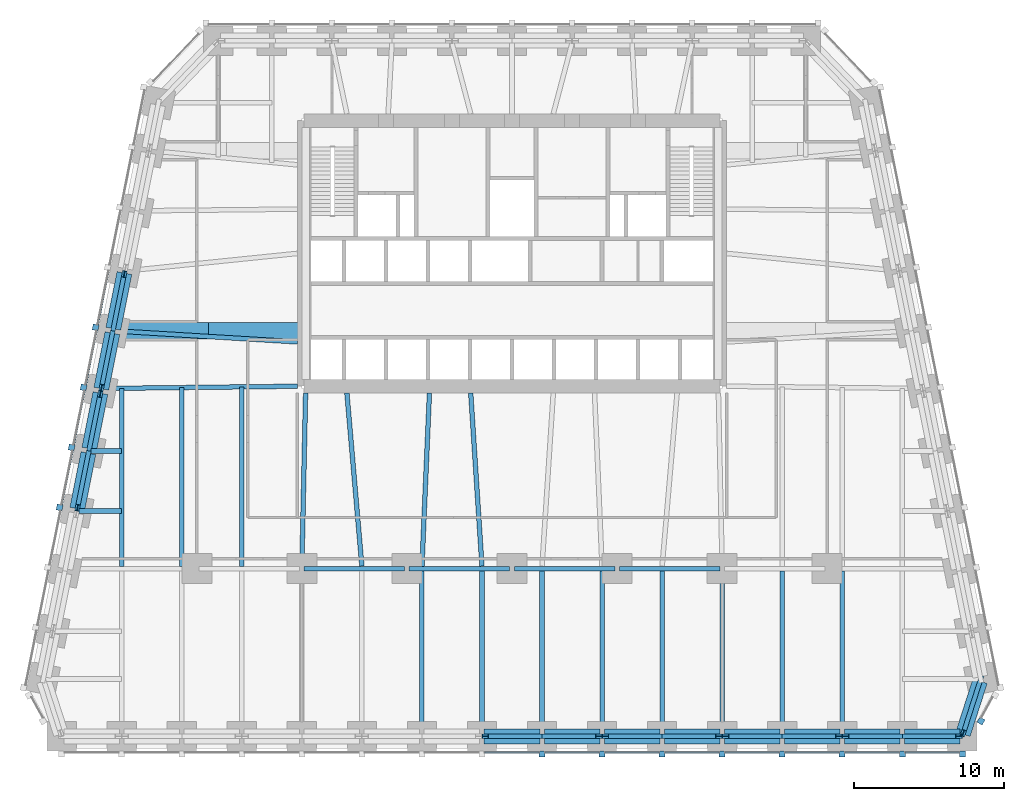
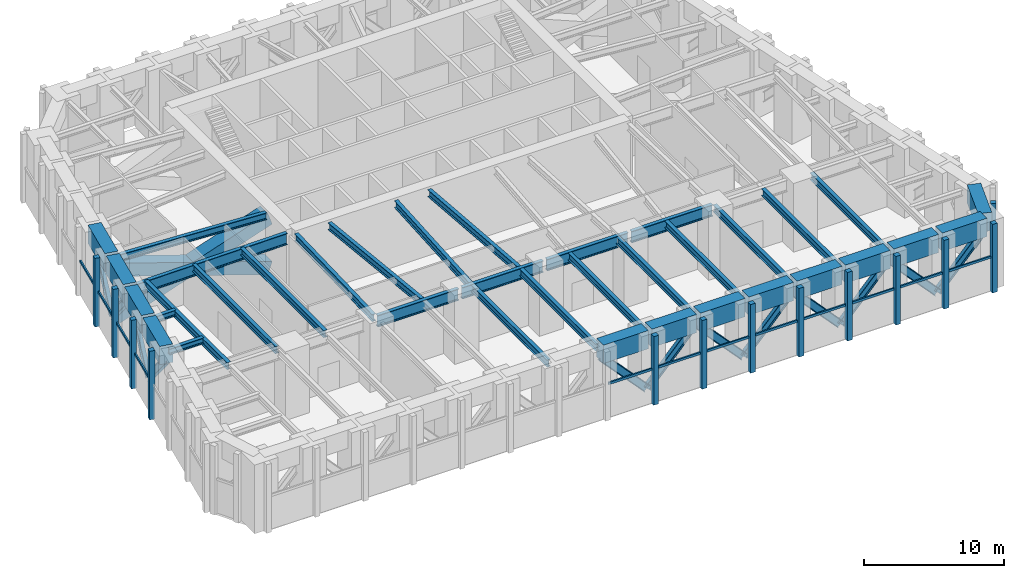
# One storey, part 2 of 9: 40 members, 36 beams, 3 elements without a shape of their own.
"""IFC4 building model written with IfcOpenShell, lengths in metres."""

import ifcopenshell
import ifcopenshell.guid

model = None  # the IFC model being written
_history = None  # IfcOwnerHistory: only IFC2X3 demands one
_inside = {}  # id of a spatial element -> (the spatial element, [elements in it])
_under = {}  # id of a project, library or spatial element -> (it, [spatial elements below it])
_declared = {}  # id of a project -> (the project, [libraries it declares])
_typed = {}  # id of a type object -> (the type object, [elements of that type])
_made_of = {}  # id of a material, layer set ... -> (it, [elements and type objects made of it])


def new_model(schema):
    """Start an empty IFC model of exactly this schema.

    Asked for "IFC4X3", IfcOpenShell would pick the latest addendum, in which some entities
    have other attributes; the version numbers below select the first issue.
    IFC2X3 requires an IfcOwnerHistory on every rooted entity: one is made here for all.
    """
    global model, _history
    if schema == "IFC4X3":
        model = ifcopenshell.file(schema_version=(4, 3, 0, 0))
    else:
        model = ifcopenshell.file(schema=schema)
    _inside.clear()
    _under.clear()
    _declared.clear()
    _typed.clear()
    _made_of.clear()
    _history = None
    if model.schema == "IFC2X3":
        org = make("IfcOrganization", Name="unknown")
        user = make(
            "IfcPersonAndOrganization",
            ThePerson=make("IfcPerson", FamilyName="unknown"),
            TheOrganization=org,
        )
        app = make(
            "IfcApplication",
            ApplicationDeveloper=org,
            Version="unknown",
            ApplicationFullName="unknown",
            ApplicationIdentifier="unknown",
        )
        _history = make(
            "IfcOwnerHistory",
            OwningUser=user,
            OwningApplication=app,
            ChangeAction="ADDED",
            CreationDate=0,
        )
    return model


def make(cls, **values):
    """One entity of the class cls with the attributes given. An attribute that is None is left unset."""
    return model.create_entity(
        cls, **{name: value for name, value in values.items() if value is not None}
    )


def rooted(cls, **values):
    """An entity with a GlobalId (a new one), such as an element, a storey or a relation."""
    return make(cls, GlobalId=ifcopenshell.guid.new(), OwnerHistory=_history, **values)


def si_unit(unit_type, name, prefix=None):
    """IfcSIUnit, for example si_unit("LENGTHUNIT", "METRE", prefix="MILLI")."""
    return make("IfcSIUnit", UnitType=unit_type, Prefix=prefix, Name=name)


def assignment(units):
    """IfcUnitAssignment: the units of a project."""
    return None if units is None else make("IfcUnitAssignment", Units=units)


def point(xyz):
    """IfcCartesianPoint."""
    return None if xyz is None else make("IfcCartesianPoint", Coordinates=xyz)


def direction(xyz):
    """IfcDirection."""
    return None if xyz is None else make("IfcDirection", DirectionRatios=xyz)


def frame(location, z_axis=None, x_axis=None):
    """IfcAxis2Placement3D, a coordinate frame: its origin and axes. An axis left out is left unset."""
    return make(
        "IfcAxis2Placement3D",
        Location=point(location),
        Axis=direction(z_axis),
        RefDirection=direction(x_axis),
    )


def frame_2d(location, x_axis=None):
    """IfcAxis2Placement2D, a coordinate frame in the plane: its origin and x axis."""
    return make(
        "IfcAxis2Placement2D", Location=point(location), RefDirection=direction(x_axis)
    )


def origin():
    """The frame at (0, 0, 0) with its axes left unset."""
    return frame((0.0, 0.0, 0.0))


def origin_2d():
    """The frame at (0, 0) in the plane with its x axis left unset."""
    return frame_2d((0.0, 0.0))


def place(relative_to, where):
    """IfcLocalPlacement: puts the frame where relative to a parent placement (None: the world)."""
    return make(
        "IfcLocalPlacement", PlacementRelTo=relative_to, RelativePlacement=where
    )


def context(
    kind, dimensions, precision=None, world=None, true_north=None, identifier=None
):
    """IfcGeometricRepresentationContext, for example the 3D "Model" context."""
    return make(
        "IfcGeometricRepresentationContext",
        ContextIdentifier=identifier,
        ContextType=kind,
        CoordinateSpaceDimension=dimensions,
        Precision=precision,
        WorldCoordinateSystem=world,
        TrueNorth=true_north,
    )


def subcontext(parent, identifier, kind, view, scale=None):
    """IfcGeometricRepresentationSubContext, for example "Body" below "Model"."""
    return make(
        "IfcGeometricRepresentationSubContext",
        ContextIdentifier=identifier,
        ContextType=kind,
        ParentContext=parent,
        TargetScale=scale,
        TargetView=view,
    )


def project(units=None, contexts=None):
    """IfcProject with its units and contexts."""
    return rooted(
        "IfcProject",
        Name="project",
        RepresentationContexts=contexts,
        UnitsInContext=assignment(units),
    )


def spatial(cls, under=None, at=None, **own):
    """A site, building, storey or space (cls), placed at a placement, below another one or the project."""
    s = rooted(cls, ObjectPlacement=at, **own)
    if under is not None:
        _under.setdefault(under.id(), (under, []))[1].append(s)
    return s


def profile(cls, at=None, kind="AREA", **sizes):
    """A parametric profile (cls). Its sizes go by their IFC names, for example OverallWidth=200.0."""
    return make(cls, ProfileType=kind, Position=at, **sizes)


def rectangle(**sizes):
    """IfcRectangleProfileDef."""
    return profile("IfcRectangleProfileDef", **sizes)


def hollow_rectangle(**sizes):
    """IfcRectangleHollowProfileDef."""
    return profile("IfcRectangleHollowProfileDef", **sizes)


def i_section(**sizes):
    """IfcIShapeProfileDef."""
    return profile("IfcIShapeProfileDef", **sizes)


def extrude(swept, where, along, depth):
    """IfcExtrudedAreaSolid: the profile swept, set in the frame where, extruded along a direction by depth."""
    return make(
        "IfcExtrudedAreaSolid",
        SweptArea=swept,
        Position=where,
        ExtrudedDirection=direction(along),
        Depth=depth,
    )


def shape(context_of_items, identifier, shape_type, items):
    """IfcShapeRepresentation: the items that make up one representation, for example the "Body"."""
    return make(
        "IfcShapeRepresentation",
        ContextOfItems=context_of_items,
        RepresentationIdentifier=identifier,
        RepresentationType=shape_type,
        Items=items,
    )


def material(Name=None, Category=None):
    """IfcMaterial."""
    return make("IfcMaterial", Name=Name, Category=Category)


def material_profile(
    of_material, cross_section, Name=None, Category=None, Priority=None
):
    """IfcMaterialProfile: a cross section and its material."""
    return make(
        "IfcMaterialProfile",
        Name=Name,
        Material=of_material,
        Profile=cross_section,
        Priority=Priority,
        Category=Category,
    )


def profile_set(profiles, Name=None, composite=None):
    """IfcMaterialProfileSet."""
    return make(
        "IfcMaterialProfileSet",
        Name=Name,
        MaterialProfiles=profiles,
        CompositeProfile=composite,
    )


def made_of(thing, what):
    """Note that an element or type object is made of a material, layer set ...; save() writes the relation."""
    if what is not None:
        _made_of.setdefault(what.id(), (what, []))[1].append(thing)
    return thing


def type_object(cls, material=None, **own):
    """A type object (cls), such as IfcWallType, which elements share."""
    return made_of(rooted(cls, **own), material)


def element(
    cls,
    number,
    at=None,
    inside=None,
    cuts=None,
    type_object=None,
    material=None,
    context=None,
    identifier="Body",
    shape_type=None,
    held_by="IfcProductDefinitionShape",
    body=None,
    shapes=None,
    **own,
):
    """One element of the class cls, such as IfcWall. Its Tag is "e" and its number.

    at: its placement. inside: the storey or other place that contains it. cuts: it is an
    opening in that element (IfcRelVoidsElement). A single representation is given by context,
    identifier, shape_type and body (its items); several are given by shapes. held_by: the class
    of the entity that holds the representations. save() writes the other relations.
    """
    e = rooted(cls, Tag="e%d" % number, ObjectPlacement=at, **own)
    if body is not None:
        shapes = [shape(context, identifier, shape_type, body)]
    if shapes is not None:
        e.Representation = make(held_by, Representations=shapes)
    if inside is not None:
        _inside.setdefault(inside.id(), (inside, []))[1].append(e)
    if cuts is not None:
        rooted(
            "IfcRelVoidsElement", RelatingBuildingElement=cuts, RelatedOpeningElement=e
        )
    if type_object is not None:
        _typed.setdefault(type_object.id(), (type_object, []))[1].append(e)
    return made_of(e, material)


def aggregate(whole, parts):
    """IfcRelAggregates: a whole, such as a stair, and the parts it consists of."""
    return rooted("IfcRelAggregates", RelatingObject=whole, RelatedObjects=parts)


def save(model, path):
    """Write the relations noted so far, then the file.

    IfcRelAggregates (storeys below a building ...), IfcRelContainedInSpatialStructure (elements
    in a storey), IfcRelDefinesByType, IfcRelAssociatesMaterial and IfcRelDeclares: one each for
    every whole, place, type object, material and project.
    """
    for whole, parts in _under.values():
        aggregate(whole, parts)
    for where, things in _inside.values():
        rooted(
            "IfcRelContainedInSpatialStructure",
            RelatedElements=things,
            RelatingStructure=where,
        )
    for kind, things in _typed.values():
        rooted("IfcRelDefinesByType", RelatedObjects=things, RelatingType=kind)
    for what, things in _made_of.values():
        rooted("IfcRelAssociatesMaterial", RelatedObjects=things, RelatingMaterial=what)
    for by, libraries in _declared.values():
        rooted("IfcRelDeclares", RelatingContext=by, RelatedDefinitions=libraries)
    model.write(path)


model = new_model("IFC4")

# Units and contexts
model_context = context("Model", 3, precision=1e-05, world=origin(), true_north=direction((0.0, 1.0)))
body_context = subcontext(model_context, "Body", "Model", "MODEL_VIEW")
ifc_project = project(units=[si_unit("LENGTHUNIT", "METRE"), si_unit("AREAUNIT", "SQUARE_METRE"), si_unit("VOLUMEUNIT", "CUBIC_METRE"), si_unit("PLANEANGLEUNIT", "RADIAN"), si_unit("MASSUNIT", "GRAM", prefix="KILO")], contexts=[model_context])

# Site, building, storey
site_placement = place(None, origin())
site = spatial("IfcSite", under=ifc_project, at=site_placement, CompositionType="ELEMENT")
building_placement = place(site_placement, origin())
building = spatial("IfcBuilding", under=site, at=building_placement, Name="Isbrekke Arena Tower", CompositionType="ELEMENT")
storey_placement = place(building_placement, frame((0.0, 0.0, 92.0)))
storey = spatial("IfcBuildingStorey", under=building, at=storey_placement, Name="L20", CompositionType="ELEMENT", Elevation=92.0)

# Beams
ifc_material_1 = material(Name="Steel S355", Category="steel")
ifc_material_profile_1 = material_profile(ifc_material_1, i_section(OverallWidth=0.304931640625, OverallDepth=0.6201171875, WebThickness=0.02099609375, FlangeThickness=0.0400390625, FilletRadius=0.027099609375, at=origin_2d()), Name="HEM 600")
ifc_profile_set_1 = profile_set([ifc_material_profile_1], Name="Steel S355")
beam_type_1 = type_object("IfcBeamType", Name="B4 HEM 600", PredefinedType="BEAM", material=ifc_profile_set_1)
for number, where, z_axis, x_axis, name in (
    (1, (-6.0, -17.02490234375, 5.489990234375), (0.0, 1.0, 0.0), (-1.0, 0.0, 0.0), "B4 beam S-S07 L20"),
    (2, (-2.0, -17.02490234375, 5.489990234375), (0.0, 1.0, 0.0), (-1.0, 0.0, 0.0), "B4 beam S-S08 L20"),
    (3, (2.0, -17.02490234375, 5.489990234375), (0.0, 1.0, 0.0), (-1.0, 0.0, 0.0), "B4 beam S-S09 L20"),
    (4, (6.0, -17.02490234375, 5.489990234375), (0.0, 1.0, 0.0), (-1.0, 0.0, 0.0), "B4 beam S-S10 L20"),
    (5, (10.0, -17.02490234375, 5.489990234375), (0.0, 1.0, 0.0), (-1.0, 0.0, 0.0), "B4 beam S-S11 L20"),
):
    element("IfcBeam", number, at=place(storey_placement, frame(where, z_axis=z_axis, x_axis=x_axis)), inside=storey, type_object=beam_type_1, Name=name, PredefinedType="BEAM", context=body_context, shape_type="SweptSolid", body=[
        extrude(i_section(OverallWidth=0.304931640625, OverallDepth=0.6201171875, WebThickness=0.02099609375, FlangeThickness=0.0400390625, FilletRadius=0.027099609375, at=origin_2d()), origin(), (0.0, 0.0, 1.0), 10.8740234375),
    ])
beam_1_placement = place(storey_placement, frame((14.0, -17.02490234375, 5.489990234375), z_axis=(0.0, 1.0, 0.0), x_axis=(-1.0, 0.0, 0.0)))
element("IfcBeam", 6, at=beam_1_placement, inside=storey, type_object=beam_type_1, Name="B4 beam S-S12 L20", PredefinedType="BEAM", context=body_context, shape_type="SweptSolid", body=[
    extrude(i_section(OverallWidth=0.304931640625, OverallDepth=0.6201171875, WebThickness=0.02099609375, FlangeThickness=0.0400390625, FilletRadius=0.027099609375, at=origin_2d()), origin(), (0.0, 0.0, 1.0), 10.875),
])
for number, where, z_axis, x_axis, name in (
    (7, (18.0, -17.02490234375, 5.489990234375), (0.0, 1.0, 0.0), (-1.0, 0.0, 0.0), "B4 beam S-S13 L20"),
    (8, (22.0, -17.02490234375, 5.489990234375), (0.0, 1.0, 0.0), (-1.0, 0.0, 0.0), "B4 beam S-S14 L20"),
):
    element("IfcBeam", number, at=place(storey_placement, frame(where, z_axis=z_axis, x_axis=x_axis)), inside=storey, type_object=beam_type_1, Name=name, PredefinedType="BEAM", context=body_context, shape_type="SweptSolid", body=[
        extrude(i_section(OverallWidth=0.304931640625, OverallDepth=0.6201171875, WebThickness=0.02099609375, FlangeThickness=0.0400390625, FilletRadius=0.027099609375, at=origin_2d()), origin(), (0.0, 0.0, 1.0), 10.8740234375),
    ])
beam_2_placement = place(storey_placement, frame((-26.0, -5.84912109375, 5.489990234375), z_axis=(0.0, 1.0, 0.0), x_axis=(-1.0, 0.0, 0.0)))
element("IfcBeam", 9, at=beam_2_placement, inside=storey, type_object=beam_type_1, Name="B4 beam C-M01 L20", PredefinedType="BEAM", context=body_context, shape_type="SweptSolid", body=[
    extrude(i_section(OverallWidth=0.304931640625, OverallDepth=0.6201171875, WebThickness=0.02099609375, FlangeThickness=0.0400390625, FilletRadius=0.027099609375, at=origin_2d()), origin(), (0.0, 0.0, 1.0), 11.864990234375),
])
beam_3_placement = place(storey_placement, frame((-22.0, -5.84912109375, 5.489990234375), z_axis=(0.0, 1.0, 0.0), x_axis=(-1.0, 0.0, 0.0)))
element("IfcBeam", 10, at=beam_3_placement, inside=storey, type_object=beam_type_1, Name="B4 beam C-M02 L20", PredefinedType="BEAM", context=body_context, shape_type="SweptSolid", body=[
    extrude(i_section(OverallWidth=0.304931640625, OverallDepth=0.6201171875, WebThickness=0.02099609375, FlangeThickness=0.0400390625, FilletRadius=0.027099609375, at=origin_2d()), origin(), (0.0, 0.0, 1.0), 11.910888671875),
])
beam_4_placement = place(storey_placement, frame((-18.0, -5.84912109375, 5.489990234375), z_axis=(0.0, 1.0, 0.0), x_axis=(-1.0, 0.0, 0.0)))
element("IfcBeam", 11, at=beam_4_placement, inside=storey, type_object=beam_type_1, Name="B4 beam C-M03 L20", PredefinedType="BEAM", context=body_context, shape_type="SweptSolid", body=[
    extrude(i_section(OverallWidth=0.304931640625, OverallDepth=0.6201171875, WebThickness=0.02099609375, FlangeThickness=0.0400390625, FilletRadius=0.027099609375, at=origin_2d()), origin(), (0.0, 0.0, 1.0), 11.956787109375),
])
beam_5_placement = place(storey_placement, frame((-14.0, -5.8466796875, 5.489990234375), z_axis=(0.021646264273, 0.999765692171, 0.0), x_axis=(-0.999765692171, 0.021646264273, 0.0)))
element("IfcBeam", 12, at=beam_5_placement, inside=storey, type_object=beam_type_1, Name="B4 beam C-M04 L20", PredefinedType="BEAM", context=body_context, shape_type="SweptSolid", body=[
    extrude(i_section(OverallWidth=0.304931640625, OverallDepth=0.6201171875, WebThickness=0.02099609375, FlangeThickness=0.0400390625, FilletRadius=0.027099609375, at=origin_2d()), origin(), (0.0, 0.0, 1.0), 11.54931640625),
])
beam_6_placement = place(storey_placement, frame((-10.001220703125, -5.8359375, 5.489990234375), z_axis=(-0.086257483273, 0.996272877569, 0.0), x_axis=(-0.996272877569, -0.086257483273, 0.0)))
element("IfcBeam", 13, at=beam_6_placement, inside=storey, type_object=beam_type_1, Name="B4 beam C-M05 L20", PredefinedType="BEAM", context=body_context, shape_type="SweptSolid", body=[
    extrude(i_section(OverallWidth=0.304931640625, OverallDepth=0.6201171875, WebThickness=0.02099609375, FlangeThickness=0.0400390625, FilletRadius=0.027099609375, at=origin_2d()), origin(), (0.0, 0.0, 1.0), 11.5791015625),
])
beam_7_placement = place(storey_placement, frame((-5.999755859375, -5.842529296875, 5.489990234375), z_axis=(0.04325656756, 0.99906399663, 0.0), x_axis=(-0.99906399663, 0.04325656756, 0.0)))
element("IfcBeam", 14, at=beam_7_placement, inside=storey, type_object=beam_type_1, Name="B4 beam C-M06 L20", PredefinedType="BEAM", context=body_context, shape_type="SweptSolid", body=[
    extrude(i_section(OverallWidth=0.304931640625, OverallDepth=0.6201171875, WebThickness=0.02099609375, FlangeThickness=0.0400390625, FilletRadius=0.027099609375, at=origin_2d()), origin(), (0.0, 0.0, 1.0), 11.55322265625),
])
beam_8_placement = place(storey_placement, frame((-2.000732421875, -5.839111328125, 5.489990234375), z_axis=(-0.064796683644, 0.997898486715, 0.0), x_axis=(-0.997898486715, -0.064796683644, 0.0)))
element("IfcBeam", 15, at=beam_8_placement, inside=storey, type_object=beam_type_1, Name="B4 beam C-M07 L20", PredefinedType="BEAM", context=body_context, shape_type="SweptSolid", body=[
    extrude(i_section(OverallWidth=0.304931640625, OverallDepth=0.6201171875, WebThickness=0.02099609375, FlangeThickness=0.0400390625, FilletRadius=0.027099609375, at=origin_2d()), origin(), (0.0, 0.0, 1.0), 11.5634765625),
])
beam_9_placement = place(storey_placement, frame((-26.431884765625, 9.837646484375, 5.489990234375), z_axis=(0.998157121592, -0.060682457223, 0.0), x_axis=(0.060682457223, 0.998157121592, 0.0)))
element("IfcBeam", 16, at=beam_9_placement, inside=storey, type_object=beam_type_1, Name="B4 beam E-W05 L20", PredefinedType="BEAM", context=body_context, shape_type="SweptSolid", body=[
    extrude(i_section(OverallWidth=0.304931640625, OverallDepth=0.6201171875, WebThickness=0.02099609375, FlangeThickness=0.0400390625, FilletRadius=0.027099609375, at=origin_2d()), origin(), (0.0, 0.0, 1.0), 12.154296875),
])
ifc_material_2 = material(Name="Steel S355", Category="steel")
ifc_material_profile_2 = material_profile(ifc_material_2, i_section(OverallWidth=0.305908203125, OverallDepth=0.52392578125, WebThickness=0.02099609375, FlangeThickness=0.0400390625, FilletRadius=0.027099609375, at=origin_2d()), Name="HEM 500")
ifc_profile_set_2 = profile_set([ifc_material_profile_2], Name="Steel S355")
beam_type_2 = type_object("IfcBeamType", Name="B5 HEM 500", PredefinedType="BEAM", material=ifc_profile_set_2)
beam_10_placement = place(storey_placement, frame((-28.041015625, 1.838134765625, 5.5380859375), z_axis=(1.0, 0.0, 0.0), x_axis=(0.0, 1.0, 0.0)))
element("IfcBeam", 17, at=beam_10_placement, inside=storey, type_object=beam_type_2, Name="B5 beam E-W07 L20", PredefinedType="BEAM", context=body_context, shape_type="SweptSolid", body=[
    extrude(i_section(OverallWidth=0.305908203125, OverallDepth=0.52392578125, WebThickness=0.02099609375, FlangeThickness=0.0400390625, FilletRadius=0.027099609375, at=origin_2d()), origin(), (0.0, 0.0, 1.0), 2.041015625),
])
beam_11_placement = place(storey_placement, frame((-28.841064453125, -2.161865234375, 5.5380859375), z_axis=(1.0, 0.0, 0.0), x_axis=(0.0, 1.0, 0.0)))
element("IfcBeam", 18, at=beam_11_placement, inside=storey, type_object=beam_type_2, Name="B5 beam E-W08 L20", PredefinedType="BEAM", context=body_context, shape_type="SweptSolid", body=[
    extrude(i_section(OverallWidth=0.305908203125, OverallDepth=0.52392578125, WebThickness=0.02099609375, FlangeThickness=0.0400390625, FilletRadius=0.027099609375, at=origin_2d()), origin(), (0.0, 0.0, 1.0), 2.841064453125),
])

# Members
ifc_material_3 = material(Name="Steel S355", Category="steel")
ifc_material_profile_3 = material_profile(ifc_material_3, i_section(OverallWidth=0.304931640625, OverallDepth=0.6201171875, WebThickness=0.02099609375, FlangeThickness=0.0400390625, FilletRadius=0.027099609375, at=origin_2d()), Name="HEM 600")
ifc_profile_set_3 = profile_set([ifc_material_profile_3], Name="Steel S355")
member_type_1 = type_object("IfcMemberType", Name="BT1 HEM 600", PredefinedType="BRACE", material=ifc_profile_set_3)
for number, where, z_axis, x_axis, name in (
    (19, (-1.781982421875, -17.175048828125, 4.66552734375), (0.681122032107, 0.0, -0.732169910183), (0.0, 1.0, 0.0), "BT1 belt truss diagonal S08 L20"),
    (20, (2.0, -17.175048828125, 0.60009765625), (0.681122032107, 0.0, 0.732169910183), (0.0, 1.0, 0.0), "BT1 belt truss diagonal S09 L20"),
    (21, (6.218017578125, -17.175048828125, 4.66552734375), (0.681122032107, 0.0, -0.732169910183), (0.0, 1.0, 0.0), "BT1 belt truss diagonal S10 L20"),
    (22, (10.0, -17.175048828125, 0.60009765625), (0.681122032107, 0.0, 0.732169910183), (0.0, 1.0, 0.0), "BT1 belt truss diagonal S11 L20"),
    (23, (14.218017578125, -17.175048828125, 4.66552734375), (0.681122032107, 0.0, -0.732169910183), (0.0, 1.0, 0.0), "BT1 belt truss diagonal S12 L20"),
    (24, (18.0, -17.175048828125, 0.60009765625), (0.681122032107, 0.0, 0.732169910183), (0.0, 1.0, 0.0), "BT1 belt truss diagonal S13 L20"),
    (25, (22.218017578125, -17.175048828125, 4.66552734375), (0.681122032107, 0.0, -0.732169910183), (0.0, 1.0, 0.0), "BT1 belt truss diagonal S14 L20"),
    (26, (26.0, -17.175048828125, 0.60009765625), (0.681122032107, 0.0, 0.732169910183), (0.0, 1.0, 0.0), "BT1 belt truss diagonal S15 L20"),
):
    element("IfcMember", number, at=place(storey_placement, frame(where, z_axis=z_axis, x_axis=x_axis)), inside=storey, type_object=member_type_1, Name=name, PredefinedType="BRACE", context=body_context, shape_type="SweptSolid", body=[
        extrude(i_section(OverallWidth=0.304931640625, OverallDepth=0.6201171875, WebThickness=0.02099609375, FlangeThickness=0.0400390625, FilletRadius=0.027099609375, at=origin_2d()), origin(), (0.0, 0.0, 1.0), 5.552490234375),
    ])
member_1_placement = place(storey_placement, frame((30.06689453125, -16.96728515625, 4.666259765625), z_axis=(0.208935562442, 0.649714556176, -0.730901447694), x_axis=(-0.951986403059, 0.306140308339, 0.0)))
element("IfcMember", 27, at=member_1_placement, inside=storey, type_object=member_type_1, Name="BT1 belt truss diagonal S16 L20", PredefinedType="BRACE", context=body_context, shape_type="SweptSolid", body=[
    extrude(i_section(OverallWidth=0.304931640625, OverallDepth=0.6201171875, WebThickness=0.02099609375, FlangeThickness=0.0400390625, FilletRadius=0.027099609375, at=origin_2d()), origin(), (0.0, 0.0, 1.0), 5.563232421875),
])
for number, where, z_axis, x_axis, name in (
    (28, (-25.833984375, 13.62353515625, 4.66943359375), (-0.134973713861, -0.674868569303, -0.725489152734), (0.980580675691, -0.196116135138, 0.0), "BT1 belt truss diagonal W04 L20"),
    (29, (-26.591064453125, 9.838134765625, 0.60009765625), (-0.134973713861, -0.674868569303, 0.725489152734), (0.980580675691, -0.196116135138, 0.0), "BT1 belt truss diagonal W05 L20"),
    (30, (-27.433837890625, 5.62353515625, 4.66943359375), (-0.134973713861, -0.674868569303, -0.725489152734), (0.980580675691, -0.196116135138, 0.0), "BT1 belt truss diagonal W06 L20"),
    (31, (-28.19091796875, 1.838134765625, 0.60009765625), (-0.134973713861, -0.674868569303, 0.725489152734), (0.980580675691, -0.196116135138, 0.0), "BT1 belt truss diagonal W07 L20"),
):
    element("IfcMember", number, at=place(storey_placement, frame(where, z_axis=z_axis, x_axis=x_axis)), inside=storey, type_object=member_type_1, Name=name, PredefinedType="BRACE", context=body_context, shape_type="SweptSolid", body=[
        extrude(i_section(OverallWidth=0.304931640625, OverallDepth=0.6201171875, WebThickness=0.02099609375, FlangeThickness=0.0400390625, FilletRadius=0.027099609375, at=origin_2d()), origin(), (0.0, 0.0, 1.0), 5.609130859375),
    ])

# Curtain wall, members
ifc_material_4 = material(Name="Glazed aluminium curtain wall", Category="aluminium")
curtain_wall_type = type_object("IfcCurtainWallType", Name="CWR PLANT LOUVRE WALL", PredefinedType="USERDEFINED", material=ifc_material_4)
curtain_wall_1_placement = place(storey_placement, origin())
curtain_wall_1 = element("IfcCurtainWall", 32, at=curtain_wall_1_placement, inside=storey, type_object=curtain_wall_type, Name="CWR curtain wall L20-S", ObjectType="PLANT LOUVRE WALL", PredefinedType="USERDEFINED")
ifc_material_5 = material(Name="Aluminium mullion, pale brick slip cladding", Category="masonry")
ifc_material_profile_4 = material_profile(ifc_material_5, rectangle(XDim=0.39990234375, YDim=0.39990234375, at=origin_2d()), Name="PIER 400X400")
ifc_profile_set_4 = profile_set([ifc_material_profile_4], Name="Aluminium mullion, pale brick slip cladding")
member_type_2 = type_object("IfcMemberType", Name="CWR-M PIER MULLION 400 x 400", PredefinedType="MULLION", material=ifc_profile_set_4)
member_2_placement = place(storey_placement, frame((2.0, -18.35009765625, 0.0), z_axis=(0.0, 0.0, 1.0), x_axis=(1.0, 0.0, 0.0)))
member_2 = element("IfcMember", 33, at=member_2_placement, type_object=member_type_2, Name="CWR-M mullion 9", PredefinedType="MULLION", context=body_context, shape_type="SweptSolid", body=[
    extrude(rectangle(XDim=0.39990234375, YDim=0.39990234375, at=origin_2d()), origin(), (0.0, 0.0, 1.0), 6.0),
])
member_3_placement = place(storey_placement, frame((6.0, -18.35009765625, 0.0), z_axis=(0.0, 0.0, 1.0), x_axis=(1.0, 0.0, 0.0)))
member_3 = element("IfcMember", 34, at=member_3_placement, type_object=member_type_2, Name="CWR-M mullion 10", PredefinedType="MULLION", context=body_context, shape_type="SweptSolid", body=[
    extrude(rectangle(XDim=0.39990234375, YDim=0.39990234375, at=origin_2d()), origin(), (0.0, 0.0, 1.0), 6.0),
])
member_4_placement = place(storey_placement, frame((10.0, -18.35009765625, 0.0), z_axis=(0.0, 0.0, 1.0), x_axis=(1.0, 0.0, 0.0)))
member_4 = element("IfcMember", 35, at=member_4_placement, type_object=member_type_2, Name="CWR-M mullion 11", PredefinedType="MULLION", context=body_context, shape_type="SweptSolid", body=[
    extrude(rectangle(XDim=0.39990234375, YDim=0.39990234375, at=origin_2d()), origin(), (0.0, 0.0, 1.0), 6.0),
])
member_5_placement = place(storey_placement, frame((14.0, -18.35009765625, 0.0), z_axis=(0.0, 0.0, 1.0), x_axis=(1.0, 0.0, 0.0)))
member_5 = element("IfcMember", 36, at=member_5_placement, type_object=member_type_2, Name="CWR-M mullion 12", PredefinedType="MULLION", context=body_context, shape_type="SweptSolid", body=[
    extrude(rectangle(XDim=0.39990234375, YDim=0.39990234375, at=origin_2d()), origin(), (0.0, 0.0, 1.0), 6.0),
])
member_6_placement = place(storey_placement, frame((18.0, -18.35009765625, 0.0), z_axis=(0.0, 0.0, 1.0), x_axis=(1.0, 0.0, 0.0)))
member_6 = element("IfcMember", 37, at=member_6_placement, type_object=member_type_2, Name="CWR-M mullion 13", PredefinedType="MULLION", context=body_context, shape_type="SweptSolid", body=[
    extrude(rectangle(XDim=0.39990234375, YDim=0.39990234375, at=origin_2d()), origin(), (0.0, 0.0, 1.0), 6.0),
])
member_7_placement = place(storey_placement, frame((22.0, -18.35009765625, 0.0), z_axis=(0.0, 0.0, 1.0), x_axis=(1.0, 0.0, 0.0)))
member_7 = element("IfcMember", 38, at=member_7_placement, type_object=member_type_2, Name="CWR-M mullion 14", PredefinedType="MULLION", context=body_context, shape_type="SweptSolid", body=[
    extrude(rectangle(XDim=0.39990234375, YDim=0.39990234375, at=origin_2d()), origin(), (0.0, 0.0, 1.0), 6.0),
])
member_8_placement = place(storey_placement, frame((26.0, -18.35009765625, 0.0), z_axis=(0.0, 0.0, 1.0), x_axis=(1.0, 0.0, 0.0)))
member_8 = element("IfcMember", 39, at=member_8_placement, type_object=member_type_2, Name="CWR-M mullion 15", PredefinedType="MULLION", context=body_context, shape_type="SweptSolid", body=[
    extrude(rectangle(XDim=0.39990234375, YDim=0.39990234375, at=origin_2d()), origin(), (0.0, 0.0, 1.0), 6.0),
])
member_9_placement = place(storey_placement, frame((30.0, -18.35009765625, 0.0), z_axis=(0.0, 0.0, 1.0), x_axis=(1.0, 0.0, 0.0)))
member_9 = element("IfcMember", 40, at=member_9_placement, type_object=member_type_2, Name="CWR-M mullion 16", PredefinedType="MULLION", context=body_context, shape_type="SweptSolid", body=[
    extrude(rectangle(XDim=0.39990234375, YDim=0.39990234375, at=origin_2d()), origin(), (0.0, 0.0, 1.0), 6.0),
])

# Curtain wall, member
curtain_wall_2_placement = place(storey_placement, origin())
curtain_wall_2 = element("IfcCurtainWall", 41, at=curtain_wall_2_placement, inside=storey, type_object=curtain_wall_type, Name="CWR curtain wall L20-SE", ObjectType="PLANT LOUVRE WALL", PredefinedType="USERDEFINED")
member_10_placement = place(storey_placement, frame((31.244384765625, -16.152587890625, 0.0), z_axis=(0.0, 0.0, 1.0), x_axis=(0.481918749773, 0.876215908676, 0.0)))
member_10 = element("IfcMember", 42, at=member_10_placement, type_object=member_type_2, Name="CWR-M mullion 1", PredefinedType="MULLION", context=body_context, shape_type="SweptSolid", body=[
    extrude(rectangle(XDim=0.39990234375, YDim=0.39990234375, at=origin_2d()), origin(), (0.0, 0.0, 1.0), 6.0),
])
aggregate(curtain_wall_2, [member_10])

# Curtain wall, members
curtain_wall_3_placement = place(storey_placement, origin())
curtain_wall_3 = element("IfcCurtainWall", 43, at=curtain_wall_3_placement, inside=storey, type_object=curtain_wall_type, Name="CWR curtain wall L20-W", ObjectType="PLANT LOUVRE WALL", PredefinedType="USERDEFINED")
member_11_placement = place(storey_placement, frame((-27.7431640625, 10.068603515625, 0.0), z_axis=(0.0, 0.0, 1.0), x_axis=(-0.196116135138, -0.980580675691, 0.0)))
member_11 = element("IfcMember", 44, at=member_11_placement, type_object=member_type_2, Name="CWR-M mullion 5", PredefinedType="MULLION", context=body_context, shape_type="SweptSolid", body=[
    extrude(rectangle(XDim=0.39990234375, YDim=0.39990234375, at=origin_2d()), origin(), (0.0, 0.0, 1.0), 6.0),
])
member_12_placement = place(storey_placement, frame((-28.543212890625, 6.068603515625, 0.0), z_axis=(0.0, 0.0, 1.0), x_axis=(-0.196116135138, -0.980580675691, 0.0)))
member_12 = element("IfcMember", 45, at=member_12_placement, type_object=member_type_2, Name="CWR-M mullion 6", PredefinedType="MULLION", context=body_context, shape_type="SweptSolid", body=[
    extrude(rectangle(XDim=0.39990234375, YDim=0.39990234375, at=origin_2d()), origin(), (0.0, 0.0, 1.0), 6.0),
])
member_13_placement = place(storey_placement, frame((-29.34326171875, 2.068603515625, 0.0), z_axis=(0.0, 0.0, 1.0), x_axis=(-0.196116135138, -0.980580675691, 0.0)))
member_13 = element("IfcMember", 46, at=member_13_placement, type_object=member_type_2, Name="CWR-M mullion 7", PredefinedType="MULLION", context=body_context, shape_type="SweptSolid", body=[
    extrude(rectangle(XDim=0.39990234375, YDim=0.39990234375, at=origin_2d()), origin(), (0.0, 0.0, 1.0), 6.0),
])
member_14_placement = place(storey_placement, frame((-30.143310546875, -1.931396484375, 0.0), z_axis=(0.0, 0.0, 1.0), x_axis=(-0.196116135138, -0.980580675691, 0.0)))
member_14 = element("IfcMember", 47, at=member_14_placement, type_object=member_type_2, Name="CWR-M mullion 8", PredefinedType="MULLION", context=body_context, shape_type="SweptSolid", body=[
    extrude(rectangle(XDim=0.39990234375, YDim=0.39990234375, at=origin_2d()), origin(), (0.0, 0.0, 1.0), 6.0),
])

# Member
ifc_material_6 = material(Name="Aluminium transom", Category="aluminium")
ifc_material_profile_5 = material_profile(ifc_material_6, rectangle(XDim=0.1201171875, YDim=0.199951171875, at=origin_2d()), Name="TRANSOM 120X200")
ifc_profile_set_5 = profile_set([ifc_material_profile_5], Name="Aluminium transom")
member_type_3 = type_object("IfcMemberType", Name="CWR-T TRANSOM 120 x 200", PredefinedType="USERDEFINED", material=ifc_profile_set_5)
member_15_placement = place(storey_placement, frame((-1.800048828125, -18.25, 3.0), z_axis=(1.0, 0.0, 0.0), x_axis=(0.0, 1.0, 0.0)))
member_15 = element("IfcMember", 48, at=member_15_placement, type_object=member_type_3, Name="CWR-T transom 8", ObjectType="TRANSOM", PredefinedType="USERDEFINED", context=body_context, shape_type="SweptSolid", body=[
    extrude(rectangle(XDim=0.1201171875, YDim=0.199951171875, at=origin_2d()), origin(), (0.0, 0.0, 1.0), 3.60009765625),
])

member_16_placement = place(storey_placement, frame((2.199951171875, -18.25, 3.0), z_axis=(1.0, 0.0, 0.0), x_axis=(0.0, 1.0, 0.0)))
member_16 = element("IfcMember", 49, at=member_16_placement, type_object=member_type_3, Name="CWR-T transom 9", ObjectType="TRANSOM", PredefinedType="USERDEFINED", context=body_context, shape_type="SweptSolid", body=[
    extrude(rectangle(XDim=0.1201171875, YDim=0.199951171875, at=origin_2d()), origin(), (0.0, 0.0, 1.0), 3.60009765625),
])

member_17_placement = place(storey_placement, frame((6.199951171875, -18.25, 3.0), z_axis=(1.0, 0.0, 0.0), x_axis=(0.0, 1.0, 0.0)))
member_17 = element("IfcMember", 50, at=member_17_placement, type_object=member_type_3, Name="CWR-T transom 10", ObjectType="TRANSOM", PredefinedType="USERDEFINED", context=body_context, shape_type="SweptSolid", body=[
    extrude(rectangle(XDim=0.1201171875, YDim=0.199951171875, at=origin_2d()), origin(), (0.0, 0.0, 1.0), 3.60009765625),
])

member_18_placement = place(storey_placement, frame((10.199951171875, -18.25, 3.0), z_axis=(1.0, 0.0, 0.0), x_axis=(0.0, 1.0, 0.0)))
member_18 = element("IfcMember", 51, at=member_18_placement, type_object=member_type_3, Name="CWR-T transom 11", ObjectType="TRANSOM", PredefinedType="USERDEFINED", context=body_context, shape_type="SweptSolid", body=[
    extrude(rectangle(XDim=0.1201171875, YDim=0.199951171875, at=origin_2d()), origin(), (0.0, 0.0, 1.0), 3.60009765625),
])

member_19_placement = place(storey_placement, frame((14.199951171875, -18.25, 3.0), z_axis=(1.0, 0.0, 0.0), x_axis=(0.0, 1.0, 0.0)))
member_19 = element("IfcMember", 52, at=member_19_placement, type_object=member_type_3, Name="CWR-T transom 12", ObjectType="TRANSOM", PredefinedType="USERDEFINED", context=body_context, shape_type="SweptSolid", body=[
    extrude(rectangle(XDim=0.1201171875, YDim=0.199951171875, at=origin_2d()), origin(), (0.0, 0.0, 1.0), 3.60009765625),
])

member_20_placement = place(storey_placement, frame((18.199951171875, -18.25, 3.0), z_axis=(1.0, 0.0, 0.0), x_axis=(0.0, 1.0, 0.0)))
member_20 = element("IfcMember", 53, at=member_20_placement, type_object=member_type_3, Name="CWR-T transom 13", ObjectType="TRANSOM", PredefinedType="USERDEFINED", context=body_context, shape_type="SweptSolid", body=[
    extrude(rectangle(XDim=0.1201171875, YDim=0.199951171875, at=origin_2d()), origin(), (0.0, 0.0, 1.0), 3.60009765625),
])

member_21_placement = place(storey_placement, frame((22.199951171875, -18.25, 3.0), z_axis=(1.0, 0.0, 0.0), x_axis=(0.0, 1.0, 0.0)))
member_21 = element("IfcMember", 54, at=member_21_placement, type_object=member_type_3, Name="CWR-T transom 14", ObjectType="TRANSOM", PredefinedType="USERDEFINED", context=body_context, shape_type="SweptSolid", body=[
    extrude(rectangle(XDim=0.1201171875, YDim=0.199951171875, at=origin_2d()), origin(), (0.0, 0.0, 1.0), 3.60009765625),
])

member_22_placement = place(storey_placement, frame((26.199951171875, -18.25, 3.0), z_axis=(1.0, 0.0, 0.0), x_axis=(0.0, 1.0, 0.0)))
member_22 = element("IfcMember", 55, at=member_22_placement, type_object=member_type_3, Name="CWR-T transom 15", ObjectType="TRANSOM", PredefinedType="USERDEFINED", context=body_context, shape_type="SweptSolid", body=[
    extrude(rectangle(XDim=0.1201171875, YDim=0.199951171875, at=origin_2d()), origin(), (0.0, 0.0, 1.0), 3.60009765625),
])

aggregate(curtain_wall_1, [member_2, member_3, member_4, member_5, member_6, member_7, member_8, member_9, member_15, member_16, member_17, member_18, member_19, member_20, member_21, member_22])

member_23_placement = place(storey_placement, frame((-26.88427734375, 13.85302734375, 3.0), z_axis=(-0.196141655741, -0.980575571225, 0.0), x_axis=(0.980575571225, -0.196141655741, 0.0)))
member_23 = element("IfcMember", 56, at=member_23_placement, type_object=member_type_3, Name="CWR-T transom 4", ObjectType="TRANSOM", PredefinedType="USERDEFINED", context=body_context, shape_type="SweptSolid", body=[
    extrude(rectangle(XDim=0.1201171875, YDim=0.199951171875, at=origin_2d()), origin(), (0.0, 0.0, 1.0), 3.679443359375),
])

member_24_placement = place(storey_placement, frame((-27.684326171875, 9.85302734375, 3.0), z_axis=(-0.196141655741, -0.980575571225, 0.0), x_axis=(0.980575571225, -0.196141655741, 0.0)))
member_24 = element("IfcMember", 57, at=member_24_placement, type_object=member_type_3, Name="CWR-T transom 5", ObjectType="TRANSOM", PredefinedType="USERDEFINED", context=body_context, shape_type="SweptSolid", body=[
    extrude(rectangle(XDim=0.1201171875, YDim=0.199951171875, at=origin_2d()), origin(), (0.0, 0.0, 1.0), 3.679443359375),
])

member_25_placement = place(storey_placement, frame((-28.484375, 5.85302734375, 3.0), z_axis=(-0.196077853487, -0.980588331244, 0.0), x_axis=(0.980588331244, -0.196077853487, 0.0)))
member_25 = element("IfcMember", 58, at=member_25_placement, type_object=member_type_3, Name="CWR-T transom 6", ObjectType="TRANSOM", PredefinedType="USERDEFINED", context=body_context, shape_type="SweptSolid", body=[
    extrude(rectangle(XDim=0.1201171875, YDim=0.199951171875, at=origin_2d()), origin(), (0.0, 0.0, 1.0), 3.679443359375),
])

member_26_placement = place(storey_placement, frame((-29.284423828125, 1.85302734375, 3.0), z_axis=(-0.196077853487, -0.980588331244, 0.0), x_axis=(0.980588331244, -0.196077853487, 0.0)))
member_26 = element("IfcMember", 59, at=member_26_placement, type_object=member_type_3, Name="CWR-T transom 7", ObjectType="TRANSOM", PredefinedType="USERDEFINED", context=body_context, shape_type="SweptSolid", body=[
    extrude(rectangle(XDim=0.1201171875, YDim=0.199951171875, at=origin_2d()), origin(), (0.0, 0.0, 1.0), 3.679443359375),
])

aggregate(curtain_wall_3, [member_11, member_12, member_13, member_14, member_23, member_24, member_25, member_26])

# Beams
ifc_material_7 = material(Name="Steel S355", Category="steel")
ifc_material_profile_6 = material_profile(ifc_material_7, i_section(OverallWidth=0.302001953125, OverallDepth=1.008056640625, WebThickness=0.02099609375, FlangeThickness=0.0400390625, FilletRadius=0.030029296875, at=origin_2d()), Name="HEM 1000")
ifc_profile_set_6 = profile_set([ifc_material_profile_6], Name="Steel S355")
beam_type_3 = type_object("IfcBeamType", Name="G1 HEM 1000", PredefinedType="BEAM", material=ifc_profile_set_6)
for number, where, z_axis, x_axis, name in (
    (60, (-13.85009765625, -6.0, 5.2958984375), (1.0, 0.0, 0.0), (0.0, 1.0, 0.0), "G1 beam G1-03 L20"),
    (61, (-6.85009765625, -6.0, 5.2958984375), (1.0, 0.0, 0.0), (0.0, 1.0, 0.0), "G1 beam G1-04 L20"),
    (62, (0.14990234375, -6.0, 5.2958984375), (1.0, 0.0, 0.0), (0.0, 1.0, 0.0), "G1 beam G1-05 L20"),
    (63, (7.14990234375, -6.0, 5.2958984375), (1.0, 0.0, 0.0), (0.0, 1.0, 0.0), "G1 beam G1-06 L20"),
):
    element("IfcBeam", number, at=place(storey_placement, frame(where, z_axis=z_axis, x_axis=x_axis)), inside=storey, type_object=beam_type_3, Name=name, PredefinedType="BEAM", context=body_context, shape_type="SweptSolid", body=[
        extrude(i_section(OverallWidth=0.302001953125, OverallDepth=1.008056640625, WebThickness=0.02099609375, FlangeThickness=0.0400390625, FilletRadius=0.030029296875, at=origin_2d()), origin(), (0.0, 0.0, 1.0), 6.7001953125),
    ])
ifc_material_8 = material(Name="Steel S355", Category="steel")
ifc_material_profile_7 = material_profile(ifc_material_8, i_section(OverallWidth=0.302001953125, OverallDepth=1.008056640625, WebThickness=0.02099609375, FlangeThickness=0.0400390625, FilletRadius=0.030029296875, at=origin_2d()), Name="HEM 1000")
ifc_profile_set_7 = profile_set([ifc_material_profile_7], Name="Steel S355")
beam_type_4 = type_object("IfcBeamType", Name="G2 HEM 1000", PredefinedType="BEAM", material=ifc_profile_set_7)
beam_12_placement = place(storey_placement, frame((-14.300048828125, 6.14990234375, 5.2958984375), z_axis=(-0.999934429634, -0.011451481699, 0.0), x_axis=(0.011451481699, -0.999934429634, 0.0)))
element("IfcBeam", 64, at=beam_12_placement, inside=storey, type_object=beam_type_4, Name="G2 beam G2-W L20", PredefinedType="BEAM", context=body_context, shape_type="SweptSolid", body=[
    extrude(i_section(OverallWidth=0.302001953125, OverallDepth=1.008056640625, WebThickness=0.02099609375, FlangeThickness=0.0400390625, FilletRadius=0.030029296875, at=origin_2d()), origin(), (0.0, 0.0, 1.0), 13.09033203125),
])

# Members
ifc_material_9 = material(Name="Steel S460", Category="steel")
ifc_material_profile_8 = material_profile(ifc_material_9, hollow_rectangle(XDim=1.10009765625, YDim=1.10009765625, WallThickness=0.050048828125, at=origin_2d()), Name="BOX 1100x1100x50")
ifc_profile_set_8 = profile_set([ifc_material_profile_8], Name="Steel S460")
member_type_4 = type_object("IfcMemberType", Name="OT1 BOX 1100x1100x50", PredefinedType="BRACE", material=ifc_profile_set_8)
for number, where, z_axis, x_axis, name in (
    (65, (-13.85009765625, 9.838134765625, 0.60009765625), (-0.947498398671, 0.0, 0.319760511189), (0.0, -1.0, 0.0), "OT1 outrigger W L20 1"),
    (66, (-13.85009765625, 9.838134765625, 4.89990234375), (-0.947498398671, 0.0, -0.319760511189), (0.0, -1.0, 0.0), "OT1 outrigger W L20 2"),
):
    element("IfcMember", number, at=place(storey_placement, frame(where, z_axis=z_axis, x_axis=x_axis)), inside=storey, type_object=member_type_4, Name=name, PredefinedType="BRACE", context=body_context, shape_type="SweptSolid", body=[
        extrude(hollow_rectangle(XDim=1.10009765625, YDim=1.10009765625, WallThickness=0.050048828125, at=origin_2d()), origin(), (0.0, 0.0, 1.0), 13.447021484375),
    ])

# Beams
ifc_material_10 = material(Name="Concrete B90 (C90/105)", Category="concrete")
ifc_material_profile_9 = material_profile(ifc_material_10, rectangle(XDim=1.0, YDim=1.60009765625, at=origin_2d()), Name="RC 1000x1600")
ifc_profile_set_9 = profile_set([ifc_material_profile_9], Name="Concrete B90 (C90/105)")
beam_type_5 = type_object("IfcBeamType", Name="SB1 RC 1000 x 1600", PredefinedType="SPANDREL", material=ifc_profile_set_9)
for number, where, z_axis, x_axis, name in (
    (67, (-1.85009765625, -17.175048828125, 5.199951171875), (1.0, 0.0, 0.0), (0.0, 1.0, 0.0), "SB1 spandrel S08-S09 L20"),
    (68, (2.14990234375, -17.175048828125, 5.199951171875), (1.0, 0.0, 0.0), (0.0, 1.0, 0.0), "SB1 spandrel S09-S10 L20"),
    (69, (6.14990234375, -17.175048828125, 5.199951171875), (1.0, 0.0, 0.0), (0.0, 1.0, 0.0), "SB1 spandrel S10-S11 L20"),
    (70, (10.14990234375, -17.175048828125, 5.199951171875), (1.0, 0.0, 0.0), (0.0, 1.0, 0.0), "SB1 spandrel S11-S12 L20"),
    (71, (14.14990234375, -17.175048828125, 5.199951171875), (1.0, 0.0, 0.0), (0.0, 1.0, 0.0), "SB1 spandrel S12-S13 L20"),
    (72, (18.14990234375, -17.175048828125, 5.199951171875), (1.0, 0.0, 0.0), (0.0, 1.0, 0.0), "SB1 spandrel S13-S14 L20"),
    (73, (22.14990234375, -17.175048828125, 5.199951171875), (1.0, 0.0, 0.0), (0.0, 1.0, 0.0), "SB1 spandrel S14-S15 L20"),
    (74, (26.14990234375, -17.175048828125, 5.199951171875), (1.0, 0.0, 0.0), (0.0, 1.0, 0.0), "SB1 spandrel S15-S16 L20"),
):
    element("IfcBeam", number, at=place(storey_placement, frame(where, z_axis=z_axis, x_axis=x_axis)), inside=storey, type_object=beam_type_5, Name=name, PredefinedType="SPANDREL", context=body_context, shape_type="SweptSolid", body=[
        extrude(rectangle(XDim=1.0, YDim=1.60009765625, at=origin_2d()), origin(), (0.0, 0.0, 1.0), 3.7001953125),
    ])
beam_13_placement = place(storey_placement, frame((30.0458984375, -17.0322265625, 5.199951171875), z_axis=(0.306175101476, 0.951975213562, 0.0), x_axis=(-0.951975213562, 0.306175101476, 0.0)))
element("IfcBeam", 75, at=beam_13_placement, inside=storey, type_object=beam_type_5, Name="SB1 spandrel S16-E01 L20", PredefinedType="SPANDREL", context=body_context, shape_type="SweptSolid", body=[
    extrude(rectangle(XDim=1.0, YDim=1.60009765625, at=origin_2d()), origin(), (0.0, 0.0, 1.0), 3.715087890625),
])
beam_14_placement = place(storey_placement, frame((-25.820556640625, 13.691162109375, 5.199951171875), z_axis=(-0.1960664412, -0.980590613169, 0.0), x_axis=(0.980590613169, -0.1960664412, 0.0)))
element("IfcBeam", 76, at=beam_14_placement, inside=storey, type_object=beam_type_5, Name="SB1 spandrel W04-W05 L20", PredefinedType="SPANDREL", context=body_context, shape_type="SweptSolid", body=[
    extrude(rectangle(XDim=1.0, YDim=1.60009765625, at=origin_2d()), origin(), (0.0, 0.0, 1.0), 3.779052734375),
])
for number, where, z_axis, x_axis, name in (
    (77, (-26.620361328125, 9.691162109375, 5.199951171875), (-0.196128558387, -0.980578190959, 0.0), (0.980578190959, -0.196128558387, 0.0), "SB1 spandrel W05-W06 L20"),
    (78, (-27.42041015625, 5.691162109375, 5.199951171875), (-0.196128558387, -0.980578190959, 0.0), (0.980578190959, -0.196128558387, 0.0), "SB1 spandrel W06-W07 L20"),
    (79, (-28.220458984375, 1.691162109375, 5.199951171875), (-0.196128558387, -0.980578190959, 0.0), (0.980578190959, -0.196128558387, 0.0), "SB1 spandrel W07-W08 L20"),
):
    element("IfcBeam", number, at=place(storey_placement, frame(where, z_axis=z_axis, x_axis=x_axis)), inside=storey, type_object=beam_type_5, Name=name, PredefinedType="SPANDREL", context=body_context, shape_type="SweptSolid", body=[
        extrude(rectangle(XDim=1.0, YDim=1.60009765625, at=origin_2d()), origin(), (0.0, 0.0, 1.0), 3.779296875),
    ])

save(model, "model.ifc")
